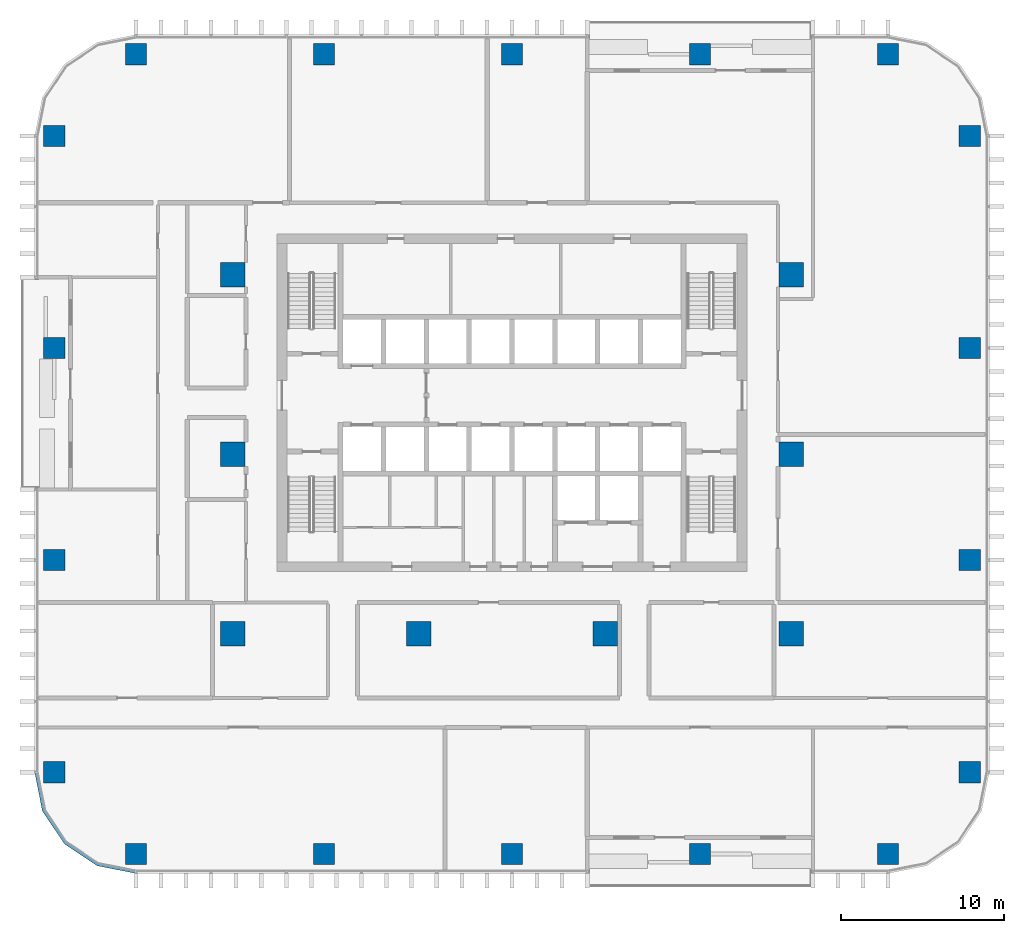
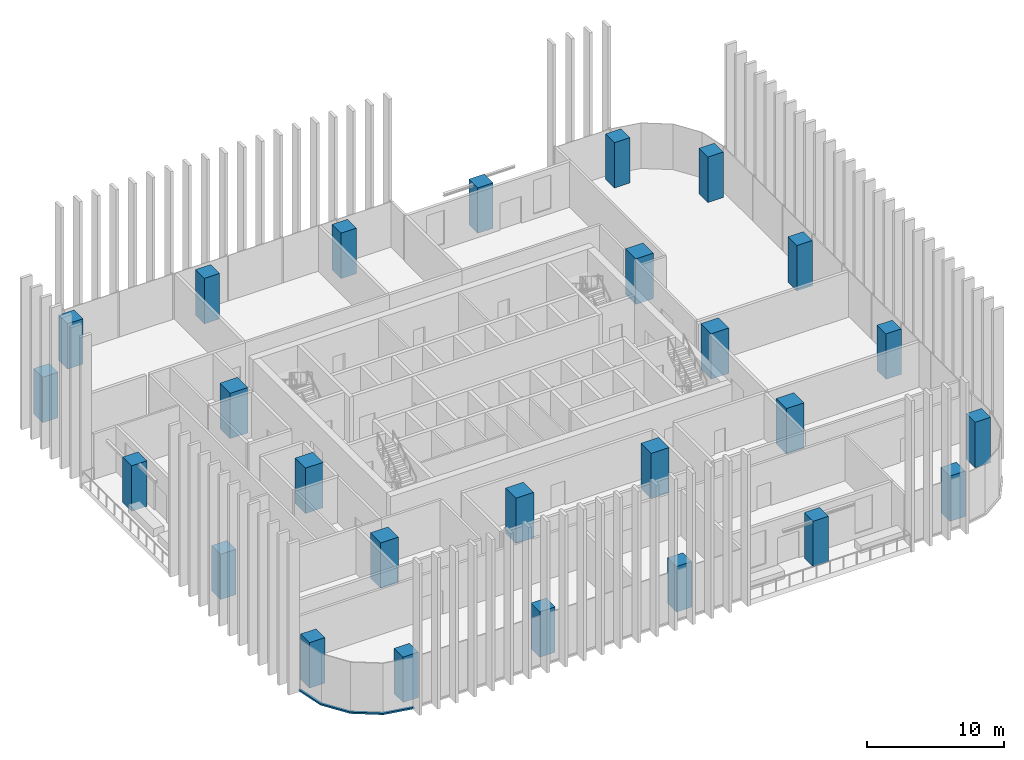
# One storey, part 1 of 17: 26 columns, 1 member, 1 element without a shape of its own.
"""IFC4 building model written with IfcOpenShell, lengths in metres."""

from ifc_helpers import new_model, si_unit, direction, frame, origin, origin_2d, place, context, subcontext, project, spatial, polyline, rectangle, outline, extrude, material, material_profile, profile_set, type_object, element, aggregate, save


model = new_model("IFC4")

# Units and contexts
model_context = context("Model", 3, precision=1e-05, world=origin(), true_north=direction((0.0, 1.0)))
body_context = subcontext(model_context, "Body", "Model", "MODEL_VIEW")
ifc_project = project(units=[si_unit("LENGTHUNIT", "METRE"), si_unit("AREAUNIT", "SQUARE_METRE"), si_unit("VOLUMEUNIT", "CUBIC_METRE"), si_unit("PLANEANGLEUNIT", "RADIAN"), si_unit("MASSUNIT", "GRAM", prefix="KILO")], contexts=[model_context])

# Site, building, storey
site_placement = place(None, origin())
site = spatial("IfcSite", under=ifc_project, at=site_placement, CompositionType="ELEMENT")
building_placement = place(site_placement, origin())
building = spatial("IfcBuilding", under=site, at=building_placement, Name="Mopane Tessera Tower", CompositionType="ELEMENT")
storey_placement = place(building_placement, frame((0.0, 0.0, 108.10009765625)))
storey = spatial("IfcBuildingStorey", under=building, at=storey_placement, Name="L21", CompositionType="ELEMENT", Elevation=108.10009765625)

# Columns
ifc_material_1 = material(Name="Concrete C60/75", Category="concrete")
ifc_material_profile_1 = material_profile(ifc_material_1, rectangle(XDim=1.5, YDim=1.5, at=origin_2d()))
ifc_profile_set_1 = profile_set([ifc_material_profile_1], Name="Concrete C60/75")
column_type_1 = type_object("IfcColumnType", Name="Interior column 1500 x 1500 C60/75", PredefinedType="COLUMN", material=ifc_profile_set_1)
for number, where, z_axis, x_axis, name in (
    (1, (-17.10009765625, -11.0, 0.0), (0.0, 0.0, 1.0), (1.0, 0.0, 0.0), "Interior column I1A L21"),
    (2, (-17.10009765625, 0.0, 0.0), (0.0, 0.0, 1.0), (1.0, 0.0, 0.0), "Interior column I1B L21"),
    (3, (-17.10009765625, 11.0, 0.0), (0.0, 0.0, 1.0), (1.0, 0.0, 0.0), "Interior column I1C L21"),
    (4, (-5.699951171875, -11.0, 0.0), (0.0, 0.0, 1.0), (1.0, 0.0, 0.0), "Interior column I2A L21"),
    (5, (5.699951171875, -11.0, 0.0), (0.0, 0.0, 1.0), (1.0, 0.0, 0.0), "Interior column I3A L21"),
    (6, (17.10009765625, -11.0, 0.0), (0.0, 0.0, 1.0), (1.0, 0.0, 0.0), "Interior column I4A L21"),
    (7, (17.10009765625, 0.0, 0.0), (0.0, 0.0, 1.0), (1.0, 0.0, 0.0), "Interior column I4B L21"),
    (8, (17.10009765625, 11.0, 0.0), (0.0, 0.0, 1.0), (1.0, 0.0, 0.0), "Interior column I4C L21"),
):
    element("IfcColumn", number, at=place(storey_placement, frame(where, z_axis=z_axis, x_axis=x_axis)), inside=storey, type_object=column_type_1, Name=name, PredefinedType="COLUMN", context=body_context, shape_type="SweptSolid", body=[
        extrude(rectangle(XDim=1.5, YDim=1.5, at=origin_2d()), origin(), (0.0, 0.0, 1.0), 4.0498046875),
    ])
ifc_material_2 = material(Name="Concrete C60/75", Category="concrete")
ifc_material_profile_2 = material_profile(ifc_material_2, rectangle(XDim=1.300048828125, YDim=1.300048828125, at=origin_2d()))
ifc_profile_set_2 = profile_set([ifc_material_profile_2], Name="Concrete C60/75")
column_type_2 = type_object("IfcColumnType", Name="Ring column 1300 x 1300 C60/75", PredefinedType="COLUMN", material=ifc_profile_set_2)
for number, where, z_axis, x_axis, name in (
    (9, (-23.050048828125, -24.5, 0.0), (0.0, 0.0, 1.0), (1.0, 0.0, 0.0), "Ring column S0 L21"),
    (10, (-11.52490234375, -24.5, 0.0), (0.0, 0.0, 1.0), (1.0, 0.0, 0.0), "Ring column S1 L21"),
    (11, (0.0, -24.5, 0.0), (0.0, 0.0, 1.0), (1.0, 0.0, 0.0), "Ring column S2 L21"),
    (12, (11.52490234375, -24.5, 0.0), (0.0, 0.0, 1.0), (1.0, 0.0, 0.0), "Ring column S3 L21"),
    (13, (23.050048828125, -24.5, 0.0), (0.0, 0.0, 1.0), (1.0, 0.0, 0.0), "Ring column S4 L21"),
    (14, (28.050048828125, -19.5, 0.0), (0.0, 0.0, 1.0), (1.0, 0.0, 0.0), "Ring column E0 L21"),
    (15, (28.050048828125, -6.5, 0.0), (0.0, 0.0, 1.0), (1.0, 0.0, 0.0), "Ring column E1 L21"),
    (16, (28.050048828125, 6.5, 0.0), (0.0, 0.0, 1.0), (1.0, 0.0, 0.0), "Ring column E2 L21"),
    (17, (28.050048828125, 19.5, 0.0), (0.0, 0.0, 1.0), (1.0, 0.0, 0.0), "Ring column E3 L21"),
    (18, (23.050048828125, 24.5, 0.0), (0.0, 0.0, 1.0), (1.0, 0.0, 0.0), "Ring column N0 L21"),
    (19, (11.52490234375, 24.5, 0.0), (0.0, 0.0, 1.0), (1.0, 0.0, 0.0), "Ring column N1 L21"),
    (20, (0.0, 24.5, 0.0), (0.0, 0.0, 1.0), (1.0, 0.0, 0.0), "Ring column N2 L21"),
    (21, (-11.52490234375, 24.5, 0.0), (0.0, 0.0, 1.0), (1.0, 0.0, 0.0), "Ring column N3 L21"),
    (22, (-23.050048828125, 24.5, 0.0), (0.0, 0.0, 1.0), (1.0, 0.0, 0.0), "Ring column N4 L21"),
    (23, (-28.050048828125, 19.5, 0.0), (0.0, 0.0, 1.0), (1.0, 0.0, 0.0), "Ring column W0 L21"),
    (24, (-28.050048828125, 6.5, 0.0), (0.0, 0.0, 1.0), (1.0, 0.0, 0.0), "Ring column W1 L21"),
    (25, (-28.050048828125, -6.5, 0.0), (0.0, 0.0, 1.0), (1.0, 0.0, 0.0), "Ring column W2 L21"),
    (26, (-28.050048828125, -19.5, 0.0), (0.0, 0.0, 1.0), (1.0, 0.0, 0.0), "Ring column W3 L21"),
):
    element("IfcColumn", number, at=place(storey_placement, frame(where, z_axis=z_axis, x_axis=x_axis)), inside=storey, type_object=column_type_2, Name=name, PredefinedType="COLUMN", context=body_context, shape_type="SweptSolid", body=[
        extrude(rectangle(XDim=1.300048828125, YDim=1.300048828125, at=origin_2d()), origin(), (0.0, 0.0, 1.0), 4.0498046875),
    ])

# Curtain wall, member
ifc_material_3 = material(Name="Aluminium frame", Category="aluminium")
curtain_wall_type = type_object("IfcCurtainWallType", Name="Lower tower unitised wall", PredefinedType="NOTDEFINED", material=ifc_material_3)
curtain_wall_placement = place(storey_placement, origin())
curtain_wall = element("IfcCurtainWall", 27, at=curtain_wall_placement, inside=storey, type_object=curtain_wall_type, Name="e:cw:L21:CW", PredefinedType="NOTDEFINED")
ifc_material_4 = material(Name="Aluminium frame", Category="aluminium")
ifc_material_profile_3 = material_profile(ifc_material_4, rectangle(XDim=0.199951171875, YDim=0.139892578125, at=origin_2d()))
ifc_profile_set_3 = profile_set([ifc_material_profile_3], Name="Aluminium frame")
member_type = type_object("IfcMemberType", Name="Aluminium transom 200 x 140", PredefinedType="USERDEFINED", material=ifc_profile_set_3)
member_placement = place(storey_placement, frame((0.0, 0.0, -0.4501953125)))
member = element("IfcMember", 28, at=member_placement, type_object=member_type, Name="e:cw:L21:CW:tr", ObjectType="TRANSOM", PredefinedType="USERDEFINED", context=body_context, shape_type="SweptSolid", body=[
    extrude(outline(polyline([(-29.050048828125, -19.5), (-28.59326171875, -21.796142578125), (-27.292724609375, -23.74267578125), (-25.34619140625, -25.043212890625), (-23.050048828125, -25.5), (-23.050048828125, -25.699951171875), (-25.422607421875, -25.22802734375), (-27.43408203125, -23.884033203125), (-28.778076171875, -21.87255859375), (-29.25, -19.5), (-29.050048828125, -19.5)])), origin(), (0.0, 0.0, 1.0), 0.14013671875),
])
aggregate(curtain_wall, [member])

save(model, "model.ifc")
